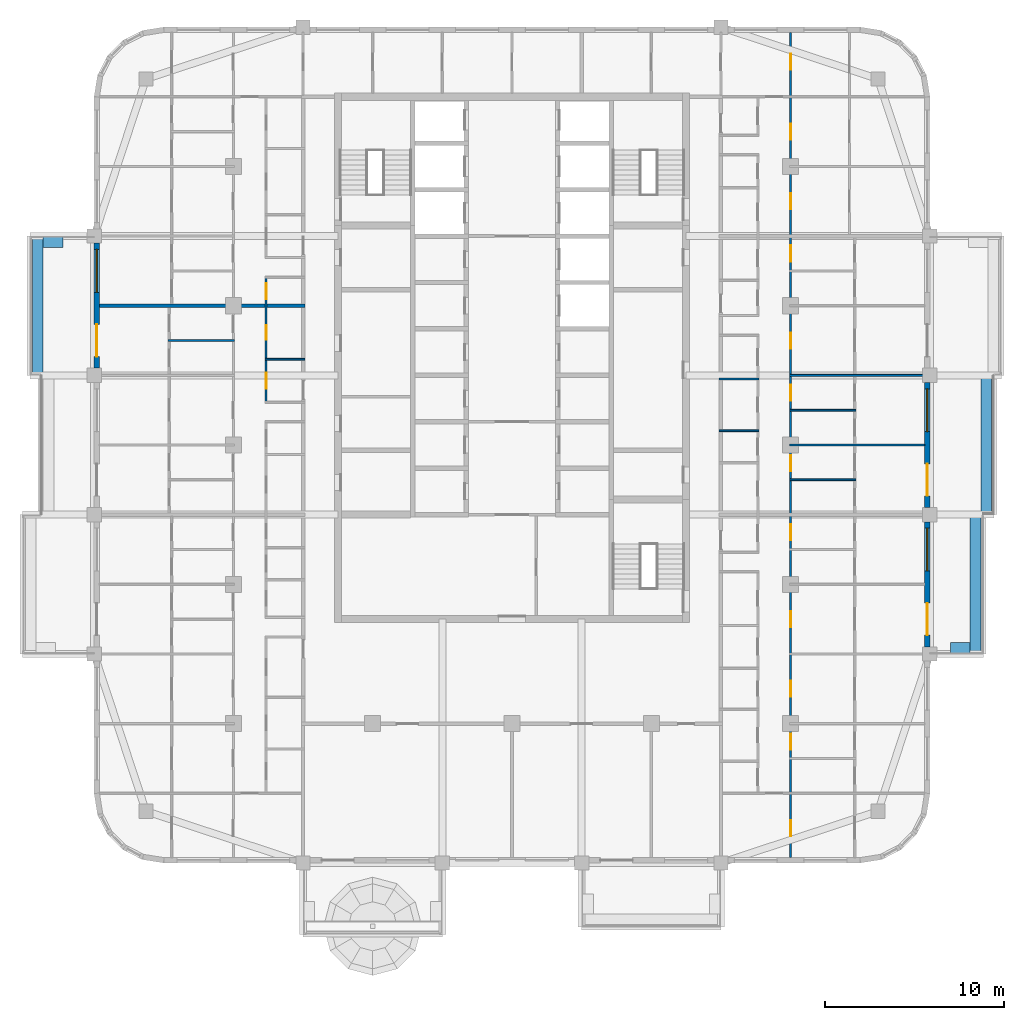
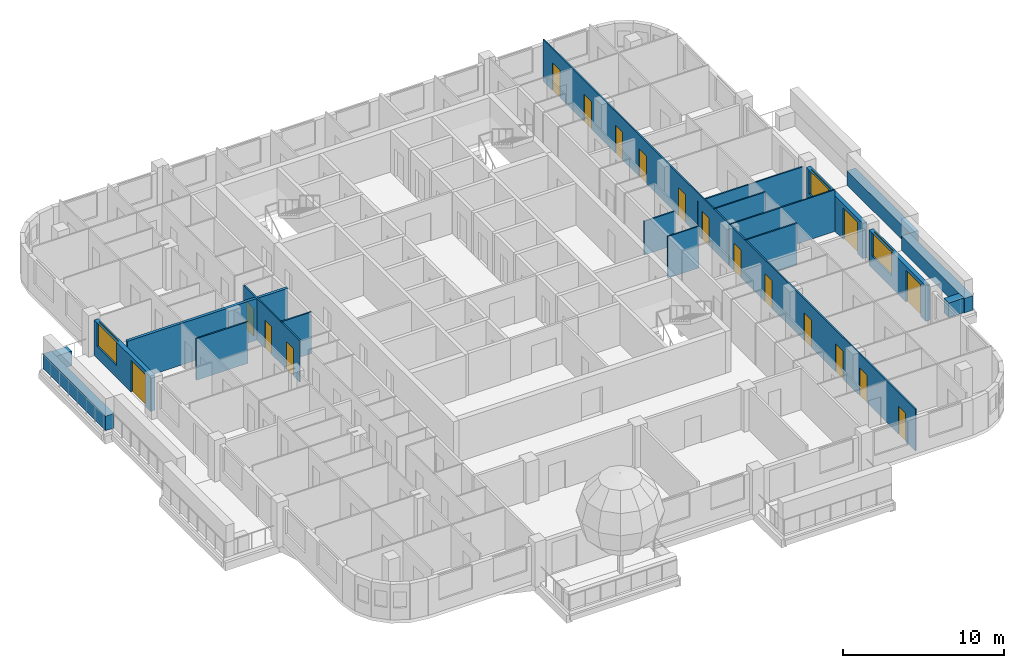
# One storey, part 8 of 17: 19 walls, 18 doors, 3 windows, 21 openings.
"""IFC4 building model written with IfcOpenShell, lengths in metres."""

from ifc_helpers import new_model, si_unit, direction, frame, frame_2d, origin, place, context, subcontext, project, spatial, rectangle, extrude, material, layer, layer_set, type_object, element, fill, save


model = new_model("IFC4")

# Units and contexts
model_context = context("Model", 3, precision=1e-05, world=origin(), true_north=direction((0.0, 1.0)))
body_context = subcontext(model_context, "Body", "Model", "MODEL_VIEW")
ifc_project = project(units=[si_unit("LENGTHUNIT", "METRE"), si_unit("AREAUNIT", "SQUARE_METRE"), si_unit("VOLUMEUNIT", "CUBIC_METRE"), si_unit("PLANEANGLEUNIT", "RADIAN"), si_unit("MASSUNIT", "GRAM", prefix="KILO")], contexts=[model_context])

# Site, building, storey
site_placement = place(None, origin())
site = spatial("IfcSite", under=ifc_project, at=site_placement, CompositionType="ELEMENT")
building_placement = place(site_placement, origin())
building = spatial("IfcBuilding", under=site, at=building_placement, Name="Ludao Terraces", CompositionType="ELEMENT")
storey_placement = place(building_placement, frame((0.0, 0.0, 231.300048828125)))
storey = spatial("IfcBuildingStorey", under=building, at=storey_placement, Name="L63", CompositionType="ELEMENT", Elevation=231.300048828125)

# Walls
ifc_material_1 = material(Name="Concrete C40", Category="concrete")
ifc_layer_1 = layer(ifc_material_1, 0.60009765625)
ifc_layer_set_1 = layer_set([ifc_layer_1], Name="ENV Planter trough 600")
wall_type_1 = type_object("IfcWallType", Name="ENV Planter trough 600", PredefinedType="USERDEFINED", material=ifc_layer_set_1)
wall_1_placement = place(storey_placement, frame((110.949951171875, 53.300048828125, 0.0), z_axis=(0.0, 0.0, 1.0), x_axis=(0.0, 1.0, 0.0)))
element("IfcWall", 1, at=wall_1_placement, inside=storey, type_object=wall_type_1, Name="PL-L63-E1", ObjectType="PLANTER", PredefinedType="USERDEFINED", context=body_context, shape_type="SweptSolid", body=[
    extrude(rectangle(XDim=7.800048828125, YDim=0.60009765625, at=frame_2d((3.89990234375, 0.0))), origin(), (0.0, 0.0, 1.0), 1.099853515625),
])
wall_2_placement = place(storey_placement, frame((110.64990234375, 53.64990234375, 0.0), z_axis=(0.0, 0.0, 1.0), x_axis=(-1.0, 0.0, 0.0)))
element("IfcWall", 2, at=wall_2_placement, inside=storey, type_object=wall_type_1, Name="PL-L63-E1-SA", ObjectType="PLANTER", PredefinedType="USERDEFINED", context=body_context, shape_type="SweptSolid", body=[
    extrude(rectangle(XDim=1.099853515625, YDim=0.60009765625, at=frame_2d((0.5498046875, 0.0))), origin(), (0.0, 0.0, 1.0), 1.099853515625),
])
wall_3_placement = place(storey_placement, frame((111.550048828125, 61.10009765625, 0.0), z_axis=(0.0, 0.0, 1.0), x_axis=(0.0, 1.0, 0.0)))
element("IfcWall", 3, at=wall_3_placement, inside=storey, type_object=wall_type_1, Name="PL-L63-E2", ObjectType="PLANTER", PredefinedType="USERDEFINED", context=body_context, shape_type="SweptSolid", body=[
    extrude(rectangle(XDim=7.7998046875, YDim=0.60009765625, at=frame_2d((3.89990234375, 0.0))), origin(), (0.0, 0.0, 1.0), 1.099853515625),
])
wall_4_placement = place(storey_placement, frame((58.449951171875, 68.89990234375, 0.0), z_axis=(0.0, 0.0, 1.0), x_axis=(0.0, 1.0, 0.0)))
element("IfcWall", 4, at=wall_4_placement, inside=storey, type_object=wall_type_1, Name="PL-L63-W3", ObjectType="PLANTER", PredefinedType="USERDEFINED", context=body_context, shape_type="SweptSolid", body=[
    extrude(rectangle(XDim=7.800048828125, YDim=0.60009765625, at=frame_2d((3.89990234375, 0.0))), origin(), (0.0, 0.0, 1.0), 1.099853515625),
])
wall_5_placement = place(storey_placement, frame((58.75, 76.35009765625, 0.0), z_axis=(0.0, 0.0, 1.0), x_axis=(1.0, 0.0, 0.0)))
element("IfcWall", 5, at=wall_5_placement, inside=storey, type_object=wall_type_1, Name="PL-L63-W3-SB", ObjectType="PLANTER", PredefinedType="USERDEFINED", context=body_context, shape_type="SweptSolid", body=[
    extrude(rectangle(XDim=1.10009765625, YDim=0.60009765625, at=frame_2d((0.550048828125, 0.0))), origin(), (0.0, 0.0, 1.0), 1.099853515625),
])

# Wall, openings, door, window
ifc_material_2 = material(Name="Granite cladding", Category="masonry")
ifc_layer_2 = layer(ifc_material_2, 0.0400390625, Category="stone")
ifc_material_3 = material(Name="Mineral wool")
ifc_layer_3 = layer(ifc_material_3, 0.06005859375)
ifc_layer_4 = layer(ifc_material_1, 0.199951171875, Category="concrete")
ifc_layer_set_2 = layer_set([ifc_layer_2, ifc_layer_3, ifc_layer_4], Name="ENV Stone-clad wall 300")
wall_type_2 = type_object("IfcWallType", Name="ENV Stone-clad wall 300", PredefinedType="SOLIDWALL", material=ifc_layer_set_2)
wall_6_placement = place(storey_placement, frame((108.25, 53.699951171875, 0.0), z_axis=(0.0, 0.0, 1.0), x_axis=(0.0, 1.0, 0.0)))
wall_6 = element("IfcWall", 6, at=wall_6_placement, inside=storey, type_object=wall_type_2, Name="EW-L63-E2", PredefinedType="SOLIDWALL", context=body_context, shape_type="SweptSolid", body=[
    extrude(rectangle(XDim=7.0, YDim=0.300048828125, at=frame_2d((3.5, 0.0))), origin(), (0.0, 0.0, 1.0), 2.699951171875),
])
opening_1_placement = place(wall_6_placement, frame((0.64990234375, 0.0, 0.0)))
opening_1 = element("IfcOpeningElement", 7, at=opening_1_placement, cuts=wall_6, Name="Opening BD", PredefinedType="OPENING", context=body_context, shape_type="SweptSolid", body=[
    extrude(rectangle(XDim=1.800048828125, YDim=2.39990234375, at=frame_2d((0.89990234375, 1.199951171875))), frame((0.0, 0.16015625, 0.0), z_axis=(0.0, -1.0, 0.0), x_axis=(1.0, 0.0, 0.0)), (0.0, 0.0, 1.0), 0.320068359375),
])
opening_2_placement = place(wall_6_placement, frame((4.25, 0.0, 0.89990234375)))
opening_2 = element("IfcOpeningElement", 8, at=opening_2_placement, cuts=wall_6, Name="Opening W1", PredefinedType="OPENING", context=body_context, shape_type="SweptSolid", body=[
    extrude(rectangle(XDim=2.39990234375, YDim=1.800048828125, at=frame_2d((1.199951171875, 0.89990234375))), frame((0.0, 0.16015625, 0.0), z_axis=(0.0, -1.0, 0.0), x_axis=(1.0, 0.0, 0.0)), (0.0, 0.0, 1.0), 0.320068359375),
])
ifc_material_4 = material(Name="Aluminium glazed door", Category="aluminium")
ifc_layer_5 = layer(ifc_material_4, 0.06005859375)
ifc_layer_set_3 = layer_set([ifc_layer_5], Name="ENV Balcony door BD 1800x2400")
door_type_1 = type_object("IfcDoorType", Name="ENV Balcony door BD 1800x2400", OperationType="DOUBLE_DOOR_SINGLE_SWING", PredefinedType="DOOR", material=ifc_layer_set_3)
door_1_placement = place(opening_1_placement, origin())
door_1 = element("IfcDoor", 9, at=door_1_placement, inside=storey, type_object=door_type_1, Name="BD-L63-E2-1", OperationType="DOUBLE_DOOR_SINGLE_SWING", OverallHeight=2.39990234375, OverallWidth=1.800048828125, PredefinedType="DOOR", context=body_context, shape_type="SweptSolid", body=[
    extrude(rectangle(XDim=1.800048828125, YDim=2.39990234375, at=frame_2d((0.89990234375, 1.199951171875))), frame((0.0, 0.02490234375, 0.0), z_axis=(0.0, -1.0, 0.0), x_axis=(1.0, 0.0, 0.0)), (0.0, 0.0, 1.0), 0.050048828125),
])
fill(opening_1, door_1)
ifc_material_5 = material(Name="Clear glass in aluminium frame", Category="aluminium")
ifc_layer_6 = layer(ifc_material_5, 0.06005859375)
ifc_layer_set_4 = layer_set([ifc_layer_6], Name="ENV Window W1 2400x1800")
window_type = type_object("IfcWindowType", Name="ENV Window W1 2400x1800", PartitioningType="DOUBLE_PANEL_VERTICAL", PredefinedType="WINDOW", material=ifc_layer_set_4)
window_1_placement = place(opening_2_placement, origin())
window_1 = element("IfcWindow", 10, at=window_1_placement, inside=storey, type_object=window_type, Name="W-L63-E2-2", OverallHeight=1.800048828125, OverallWidth=2.39990234375, PartitioningType="DOUBLE_PANEL_VERTICAL", PredefinedType="WINDOW", context=body_context, shape_type="SweptSolid", body=[
    extrude(rectangle(XDim=2.39990234375, YDim=1.800048828125, at=frame_2d((1.199951171875, 0.89990234375))), frame((0.0, 0.030029296875, 0.0), z_axis=(0.0, -1.0, 0.0), x_axis=(1.0, 0.0, 0.0)), (0.0, 0.0, 1.0), 0.06005859375),
])
fill(opening_2, window_1)

wall_7_placement = place(storey_placement, frame((108.25, 61.5, 0.0), z_axis=(0.0, 0.0, 1.0), x_axis=(0.0, 1.0, 0.0)))
wall_7 = element("IfcWall", 11, at=wall_7_placement, inside=storey, type_object=wall_type_2, Name="EW-L63-E3", PredefinedType="SOLIDWALL", context=body_context, shape_type="SweptSolid", body=[
    extrude(rectangle(XDim=7.0, YDim=0.300048828125, at=frame_2d((3.5, 0.0))), origin(), (0.0, 0.0, 1.0), 2.699951171875),
])
opening_3_placement = place(wall_7_placement, frame((0.64990234375, 0.0, 0.0)))
opening_3 = element("IfcOpeningElement", 12, at=opening_3_placement, cuts=wall_7, Name="Opening BD", PredefinedType="OPENING", context=body_context, shape_type="SweptSolid", body=[
    extrude(rectangle(XDim=1.800048828125, YDim=2.39990234375, at=frame_2d((0.89990234375, 1.199951171875))), frame((0.0, 0.16015625, 0.0), z_axis=(0.0, -1.0, 0.0), x_axis=(1.0, 0.0, 0.0)), (0.0, 0.0, 1.0), 0.320068359375),
])
opening_4_placement = place(wall_7_placement, frame((4.25, 0.0, 0.89990234375)))
opening_4 = element("IfcOpeningElement", 13, at=opening_4_placement, cuts=wall_7, Name="Opening W1", PredefinedType="OPENING", context=body_context, shape_type="SweptSolid", body=[
    extrude(rectangle(XDim=2.39990234375, YDim=1.800048828125, at=frame_2d((1.199951171875, 0.89990234375))), frame((0.0, 0.16015625, 0.0), z_axis=(0.0, -1.0, 0.0), x_axis=(1.0, 0.0, 0.0)), (0.0, 0.0, 1.0), 0.320068359375),
])
door_2_placement = place(opening_3_placement, origin())
door_2 = element("IfcDoor", 14, at=door_2_placement, inside=storey, type_object=door_type_1, Name="BD-L63-E3-1", OperationType="DOUBLE_DOOR_SINGLE_SWING", OverallHeight=2.39990234375, OverallWidth=1.800048828125, PredefinedType="DOOR", context=body_context, shape_type="SweptSolid", body=[
    extrude(rectangle(XDim=1.800048828125, YDim=2.39990234375, at=frame_2d((0.89990234375, 1.199951171875))), frame((0.0, 0.02490234375, 0.0), z_axis=(0.0, -1.0, 0.0), x_axis=(1.0, 0.0, 0.0)), (0.0, 0.0, 1.0), 0.050048828125),
])
fill(opening_3, door_2)
window_2_placement = place(opening_4_placement, origin())
window_2 = element("IfcWindow", 15, at=window_2_placement, inside=storey, type_object=window_type, Name="W-L63-E3-2", OverallHeight=1.800048828125, OverallWidth=2.39990234375, PartitioningType="DOUBLE_PANEL_VERTICAL", PredefinedType="WINDOW", context=body_context, shape_type="SweptSolid", body=[
    extrude(rectangle(XDim=2.39990234375, YDim=1.800048828125, at=frame_2d((1.199951171875, 0.89990234375))), frame((0.0, 0.030029296875, 0.0), z_axis=(0.0, -1.0, 0.0), x_axis=(1.0, 0.0, 0.0)), (0.0, 0.0, 1.0), 0.06005859375),
])
fill(opening_4, window_2)

wall_8_placement = place(storey_placement, frame((61.75, 69.300048828125, 0.0), z_axis=(0.0, 0.0, 1.0), x_axis=(0.0, 1.0, 0.0)))
wall_8 = element("IfcWall", 16, at=wall_8_placement, inside=storey, type_object=wall_type_2, Name="EW-L63-W4", PredefinedType="SOLIDWALL", context=body_context, shape_type="SweptSolid", body=[
    extrude(rectangle(XDim=7.0, YDim=0.300048828125, at=frame_2d((3.5, 0.0))), origin(), (0.0, 0.0, 1.0), 2.699951171875),
])
opening_5_placement = place(wall_8_placement, frame((0.64990234375, 0.0, 0.0)))
opening_5 = element("IfcOpeningElement", 17, at=opening_5_placement, cuts=wall_8, Name="Opening BD", PredefinedType="OPENING", context=body_context, shape_type="SweptSolid", body=[
    extrude(rectangle(XDim=1.800048828125, YDim=2.39990234375, at=frame_2d((0.89990234375, 1.199951171875))), frame((0.0, 0.16015625, 0.0), z_axis=(0.0, -1.0, 0.0), x_axis=(1.0, 0.0, 0.0)), (0.0, 0.0, 1.0), 0.320068359375),
])
opening_6_placement = place(wall_8_placement, frame((4.25, 0.0, 0.89990234375)))
opening_6 = element("IfcOpeningElement", 18, at=opening_6_placement, cuts=wall_8, Name="Opening W1", PredefinedType="OPENING", context=body_context, shape_type="SweptSolid", body=[
    extrude(rectangle(XDim=2.39990234375, YDim=1.800048828125, at=frame_2d((1.199951171875, 0.89990234375))), frame((0.0, 0.16015625, 0.0), z_axis=(0.0, -1.0, 0.0), x_axis=(1.0, 0.0, 0.0)), (0.0, 0.0, 1.0), 0.320068359375),
])
door_3_placement = place(opening_5_placement, origin())
door_3 = element("IfcDoor", 19, at=door_3_placement, inside=storey, type_object=door_type_1, Name="BD-L63-W4-1", OperationType="DOUBLE_DOOR_SINGLE_SWING", OverallHeight=2.39990234375, OverallWidth=1.800048828125, PredefinedType="DOOR", context=body_context, shape_type="SweptSolid", body=[
    extrude(rectangle(XDim=1.800048828125, YDim=2.39990234375, at=frame_2d((0.89990234375, 1.199951171875))), frame((0.0, 0.02490234375, 0.0), z_axis=(0.0, -1.0, 0.0), x_axis=(1.0, 0.0, 0.0)), (0.0, 0.0, 1.0), 0.050048828125),
])
fill(opening_5, door_3)
window_3_placement = place(opening_6_placement, origin())
window_3 = element("IfcWindow", 20, at=window_3_placement, inside=storey, type_object=window_type, Name="W-L63-W4-2", OverallHeight=1.800048828125, OverallWidth=2.39990234375, PartitioningType="DOUBLE_PANEL_VERTICAL", PredefinedType="WINDOW", context=body_context, shape_type="SweptSolid", body=[
    extrude(rectangle(XDim=2.39990234375, YDim=1.800048828125, at=frame_2d((1.199951171875, 0.89990234375))), frame((0.0, 0.030029296875, 0.0), z_axis=(0.0, -1.0, 0.0), x_axis=(1.0, 0.0, 0.0)), (0.0, 0.0, 1.0), 0.06005859375),
])
fill(opening_6, window_3)

# Walls
ifc_material_6 = material(Name="Gypsum plasterboard", Category="gypsum")
ifc_layer_7 = layer(ifc_material_6, 0.012451171875, Category="gypsum")
ifc_layer_8 = layer(ifc_material_3, 0.06005859375, Name="insulation")
ifc_material_7 = material(Name="Steel Q235", Category="steel")
ifc_layer_9 = layer(ifc_material_7, 0.014892578125, Name="stud")
ifc_layer_10 = layer(ifc_material_6, 0.012451171875, Category="gypsum")
ifc_layer_set_5 = layer_set([ifc_layer_7, ifc_layer_8, ifc_layer_9, ifc_layer_10], Name="INT Partition 100")
wall_type_3 = type_object("IfcWallType", Name="INT Partition 100", PredefinedType="PARTITIONING", material=ifc_layer_set_5)
wall_9_placement = place(storey_placement, frame((100.550048828125, 63.050048828125, 0.0), z_axis=(0.0, 0.0, 1.0), x_axis=(1.0, 0.0, 0.0)))
element("IfcWall", 21, at=wall_9_placement, inside=storey, type_object=wall_type_3, Name="PW-L63-PW029", PredefinedType="PARTITIONING", context=body_context, shape_type="SweptSolid", body=[
    extrude(rectangle(XDim=3.699951171875, YDim=0.10009765625, at=frame_2d((1.85009765625, 0.0))), origin(), (0.0, 0.0, 1.0), 3.14990234375),
])
wall_10_placement = place(storey_placement, frame((100.550048828125, 65.0, 0.0), z_axis=(0.0, 0.0, 1.0), x_axis=(1.0, 0.0, 0.0)))
element("IfcWall", 22, at=wall_10_placement, inside=storey, type_object=wall_type_3, Name="PW-L63-PW033", PredefinedType="PARTITIONING", context=body_context, shape_type="SweptSolid", body=[
    extrude(rectangle(XDim=7.550048828125, YDim=0.10009765625, at=frame_2d((3.77490234375, 0.0))), origin(), (0.0, 0.0, 1.0), 3.14990234375),
])
wall_11_placement = place(storey_placement, frame((96.60009765625, 65.800048828125, 0.0), z_axis=(0.0, 0.0, 1.0), x_axis=(1.0, 0.0, 0.0)))
element("IfcWall", 23, at=wall_11_placement, inside=storey, type_object=wall_type_3, Name="PW-L63-PW034", PredefinedType="PARTITIONING", context=body_context, shape_type="SweptSolid", body=[
    extrude(rectangle(XDim=2.219970703125, YDim=0.10009765625, at=frame_2d((1.10986328125, 0.0))), origin(), (0.0, 0.0, 1.0), 3.14990234375),
])
wall_12_placement = place(storey_placement, frame((100.550048828125, 66.949951171875, 0.0), z_axis=(0.0, 0.0, 1.0), x_axis=(1.0, 0.0, 0.0)))
element("IfcWall", 24, at=wall_12_placement, inside=storey, type_object=wall_type_3, Name="PW-L63-PW037", PredefinedType="PARTITIONING", context=body_context, shape_type="SweptSolid", body=[
    extrude(rectangle(XDim=3.699951171875, YDim=0.10009765625, at=frame_2d((1.85009765625, 0.0))), origin(), (0.0, 0.0, 1.0), 3.14990234375),
])
wall_13_placement = place(storey_placement, frame((96.60009765625, 68.699951171875, 0.0), z_axis=(0.0, 0.0, 1.0), x_axis=(1.0, 0.0, 0.0)))
element("IfcWall", 25, at=wall_13_placement, inside=storey, type_object=wall_type_3, Name="PW-L63-PW040", PredefinedType="PARTITIONING", context=body_context, shape_type="SweptSolid", body=[
    extrude(rectangle(XDim=2.219970703125, YDim=0.10009765625, at=frame_2d((1.10986328125, 0.0))), origin(), (0.0, 0.0, 1.0), 2.5498046875),
])
wall_14_placement = place(storey_placement, frame((100.550048828125, 68.89990234375, 0.0), z_axis=(0.0, 0.0, 1.0), x_axis=(1.0, 0.0, 0.0)))
element("IfcWall", 26, at=wall_14_placement, inside=storey, type_object=wall_type_3, Name="PW-L63-PW042", PredefinedType="PARTITIONING", context=body_context, shape_type="SweptSolid", body=[
    extrude(rectangle(XDim=7.550048828125, YDim=0.10009765625, at=frame_2d((3.77490234375, 0.0))), origin(), (0.0, 0.0, 1.0), 2.5498046875),
])
wall_15_placement = place(storey_placement, frame((71.18017578125, 69.800048828125, 0.0), z_axis=(0.0, 0.0, 1.0), x_axis=(1.0, 0.0, 0.0)))
element("IfcWall", 27, at=wall_15_placement, inside=storey, type_object=wall_type_3, Name="PW-L63-PW043", PredefinedType="PARTITIONING", context=body_context, shape_type="SweptSolid", body=[
    extrude(rectangle(XDim=2.219970703125, YDim=0.10009765625, at=frame_2d((1.10986328125, 0.0))), origin(), (0.0, 0.0, 1.0), 3.14990234375),
])
wall_16_placement = place(storey_placement, frame((65.75, 70.85009765625, 0.0), z_axis=(0.0, 0.0, 1.0), x_axis=(1.0, 0.0, 0.0)))
element("IfcWall", 28, at=wall_16_placement, inside=storey, type_object=wall_type_3, Name="PW-L63-PW044", PredefinedType="PARTITIONING", context=body_context, shape_type="SweptSolid", body=[
    extrude(rectangle(XDim=3.7001953125, YDim=0.10009765625, at=frame_2d((1.85009765625, 0.0))), origin(), (0.0, 0.0, 1.0), 3.14990234375),
])

# Wall, openings, doors
wall_17_placement = place(storey_placement, frame((71.22998046875, 67.4501953125, 0.0), z_axis=(0.0, 0.0, 1.0), x_axis=(0.0, 1.0, 0.0)))
wall_17 = element("IfcWall", 29, at=wall_17_placement, inside=storey, type_object=wall_type_3, Name="PW-L63-PW075", PredefinedType="PARTITIONING", context=body_context, shape_type="SweptSolid", body=[
    extrude(rectangle(XDim=6.89990234375, YDim=0.10009765625, at=frame_2d((3.449951171875, 0.0))), origin(), (0.0, 0.0, 1.0), 3.14990234375),
])
opening_7_placement = place(wall_17_placement, frame((0.699951171875, 0.0, 0.0)))
opening_7 = element("IfcOpeningElement", 30, at=opening_7_placement, cuts=wall_17, Name="Opening R22-075", PredefinedType="OPENING", context=body_context, shape_type="SweptSolid", body=[
    extrude(rectangle(XDim=0.89990234375, YDim=2.10009765625, at=frame_2d((0.449951171875, 1.050048828125))), frame((0.0, 0.06005859375, 0.0), z_axis=(0.0, -1.0, 0.0), x_axis=(1.0, 0.0, 0.0)), (0.0, 0.0, 1.0), 0.1201171875),
])
opening_8_placement = place(wall_17_placement, frame((3.449951171875, 0.0, 0.0)))
opening_8 = element("IfcOpeningElement", 31, at=opening_8_placement, cuts=wall_17, Name="Opening R22-084", PredefinedType="OPENING", context=body_context, shape_type="SweptSolid", body=[
    extrude(rectangle(XDim=0.800048828125, YDim=2.10009765625, at=frame_2d((0.39990234375, 1.050048828125))), frame((0.0, 0.06005859375, 0.0), z_axis=(0.0, -1.0, 0.0), x_axis=(1.0, 0.0, 0.0)), (0.0, 0.0, 1.0), 0.1201171875),
])
opening_9_placement = place(wall_17_placement, frame((5.699951171875, 0.0, 0.0)))
opening_9 = element("IfcOpeningElement", 32, at=opening_9_placement, cuts=wall_17, Name="Opening R22-091", PredefinedType="OPENING", context=body_context, shape_type="SweptSolid", body=[
    extrude(rectangle(XDim=0.89990234375, YDim=2.10009765625, at=frame_2d((0.449951171875, 1.050048828125))), frame((0.0, 0.06005859375, 0.0), z_axis=(0.0, -1.0, 0.0), x_axis=(1.0, 0.0, 0.0)), (0.0, 0.0, 1.0), 0.1201171875),
])
ifc_material_8 = material(Name="Timber door leaf", Category="wood")
door_type_2 = type_object("IfcDoorType", Name="INT Bathroom door 900", OperationType="SINGLE_SWING_LEFT", PredefinedType="DOOR", material=ifc_material_8)
door_4_placement = place(opening_7_placement, origin())
door_4 = element("IfcDoor", 33, at=door_4_placement, inside=storey, type_object=door_type_2, Name="DOOR 075", OperationType="SINGLE_SWING_LEFT", OverallHeight=2.10009765625, OverallWidth=0.89990234375, PredefinedType="DOOR", context=body_context, shape_type="SweptSolid", body=[
    extrude(rectangle(XDim=0.89990234375, YDim=2.10009765625, at=frame_2d((0.449951171875, 1.050048828125))), frame((0.0, 0.02490234375, 0.0), z_axis=(0.0, -1.0, 0.0), x_axis=(1.0, 0.0, 0.0)), (0.0, 0.0, 1.0), 0.050048828125),
])
fill(opening_7, door_4)
door_5_placement = place(opening_9_placement, origin())
door_5 = element("IfcDoor", 34, at=door_5_placement, inside=storey, type_object=door_type_2, Name="DOOR 091", OperationType="SINGLE_SWING_RIGHT", OverallHeight=2.10009765625, OverallWidth=0.89990234375, PredefinedType="DOOR", context=body_context, shape_type="SweptSolid", body=[
    extrude(rectangle(XDim=0.89990234375, YDim=2.10009765625, at=frame_2d((0.449951171875, 1.050048828125))), frame((0.0, 0.02490234375, 0.0), z_axis=(0.0, -1.0, 0.0), x_axis=(1.0, 0.0, 0.0)), (0.0, 0.0, 1.0), 0.050048828125),
])
fill(opening_9, door_5)
door_type_3 = type_object("IfcDoorType", Name="INT Store door 800", OperationType="SINGLE_SWING_LEFT", PredefinedType="DOOR", material=ifc_material_8)
door_6_placement = place(opening_8_placement, origin())
door_6 = element("IfcDoor", 35, at=door_6_placement, inside=storey, type_object=door_type_3, Name="DOOR 084", OperationType="SINGLE_SWING_RIGHT", OverallHeight=2.10009765625, OverallWidth=0.800048828125, PredefinedType="DOOR", context=body_context, shape_type="SweptSolid", body=[
    extrude(rectangle(XDim=0.800048828125, YDim=2.10009765625, at=frame_2d((0.39990234375, 1.050048828125))), frame((0.0, 0.02490234375, 0.0), z_axis=(0.0, -1.0, 0.0), x_axis=(1.0, 0.0, 0.0)), (0.0, 0.0, 1.0), 0.050048828125),
])
fill(opening_8, door_6)

wall_18_placement = place(storey_placement, frame((100.60009765625, 41.900146484375, 0.0), z_axis=(0.0, 0.0, 1.0), x_axis=(0.0, 1.0, 0.0)))
wall_18 = element("IfcWall", 36, at=wall_18_placement, inside=storey, type_object=wall_type_3, Name="PW-L63-PW095", PredefinedType="PARTITIONING", context=body_context, shape_type="SweptSolid", body=[
    extrude(rectangle(XDim=46.199951171875, YDim=0.10009765625, at=frame_2d((23.10009765625, 0.0))), origin(), (0.0, 0.0, 1.0), 3.14990234375),
])
opening_10_placement = place(wall_18_placement, frame((1.199951171875, 0.0, 0.0)))
opening_10 = element("IfcOpeningElement", 37, at=opening_10_placement, cuts=wall_18, Name="Opening R22-003", PredefinedType="OPENING", context=body_context, shape_type="SweptSolid", body=[
    extrude(rectangle(XDim=0.89990234375, YDim=2.10009765625, at=frame_2d((0.449951171875, 1.050048828125))), frame((0.0, 0.06005859375, 0.0), z_axis=(0.0, -1.0, 0.0), x_axis=(1.0, 0.0, 0.0)), (0.0, 0.0, 1.0), 0.1201171875),
])
opening_11_placement = place(wall_18_placement, frame((6.02490234375, 0.0, 0.0)))
opening_11 = element("IfcOpeningElement", 38, at=opening_11_placement, cuts=wall_18, Name="Opening R22-012", PredefinedType="OPENING", context=body_context, shape_type="SweptSolid", body=[
    extrude(rectangle(XDim=0.89990234375, YDim=2.10009765625, at=frame_2d((0.449951171875, 1.050048828125))), frame((0.0, 0.06005859375, 0.0), z_axis=(0.0, -1.0, 0.0), x_axis=(1.0, 0.0, 0.0)), (0.0, 0.0, 1.0), 0.1201171875),
])
opening_12_placement = place(wall_18_placement, frame((9.0, 0.0, 0.0)))
opening_12 = element("IfcOpeningElement", 39, at=opening_12_placement, cuts=wall_18, Name="Opening R22-022", PredefinedType="OPENING", context=body_context, shape_type="SweptSolid", body=[
    extrude(rectangle(XDim=0.89990234375, YDim=2.10009765625, at=frame_2d((0.449951171875, 1.050048828125))), frame((0.0, 0.06005859375, 0.0), z_axis=(0.0, -1.0, 0.0), x_axis=(1.0, 0.0, 0.0)), (0.0, 0.0, 1.0), 0.1201171875),
])
opening_13_placement = place(wall_18_placement, frame((12.89990234375, 0.0, 0.0)))
opening_13 = element("IfcOpeningElement", 40, at=opening_13_placement, cuts=wall_18, Name="Opening R22-029", PredefinedType="OPENING", context=body_context, shape_type="SweptSolid", body=[
    extrude(rectangle(XDim=0.89990234375, YDim=2.10009765625, at=frame_2d((0.449951171875, 1.050048828125))), frame((0.0, 0.06005859375, 0.0), z_axis=(0.0, -1.0, 0.0), x_axis=(1.0, 0.0, 0.0)), (0.0, 0.0, 1.0), 0.1201171875),
])
opening_14_placement = place(wall_18_placement, frame((17.77490234375, 0.0, 0.0)))
opening_14 = element("IfcOpeningElement", 41, at=opening_14_placement, cuts=wall_18, Name="Opening R22-044", PredefinedType="OPENING", context=body_context, shape_type="SweptSolid", body=[
    extrude(rectangle(XDim=0.89990234375, YDim=2.10009765625, at=frame_2d((0.449951171875, 1.050048828125))), frame((0.0, 0.06005859375, 0.0), z_axis=(0.0, -1.0, 0.0), x_axis=(1.0, 0.0, 0.0)), (0.0, 0.0, 1.0), 0.1201171875),
])
opening_15_placement = place(wall_18_placement, frame((21.625, 0.0, 0.0)))
opening_15 = element("IfcOpeningElement", 42, at=opening_15_placement, cuts=wall_18, Name="Opening R22-057", PredefinedType="OPENING", context=body_context, shape_type="SweptSolid", body=[
    extrude(rectangle(XDim=0.89990234375, YDim=2.10009765625, at=frame_2d((0.449951171875, 1.050048828125))), frame((0.0, 0.06005859375, 0.0), z_axis=(0.0, -1.0, 0.0), x_axis=(1.0, 0.0, 0.0)), (0.0, 0.0, 1.0), 0.1201171875),
])
opening_16_placement = place(wall_18_placement, frame((25.574951171875, 0.0, 0.0)))
opening_16 = element("IfcOpeningElement", 43, at=opening_16_placement, cuts=wall_18, Name="Opening R22-072", PredefinedType="OPENING", context=body_context, shape_type="SweptSolid", body=[
    extrude(rectangle(XDim=0.89990234375, YDim=2.10009765625, at=frame_2d((0.449951171875, 1.050048828125))), frame((0.0, 0.06005859375, 0.0), z_axis=(0.0, -1.0, 0.0), x_axis=(1.0, 0.0, 0.0)), (0.0, 0.0, 1.0), 0.1201171875),
])
opening_17_placement = place(wall_18_placement, frame((28.5, 0.0, 0.0)))
opening_17 = element("IfcOpeningElement", 44, at=opening_17_placement, cuts=wall_18, Name="Opening R22-082", PredefinedType="OPENING", context=body_context, shape_type="SweptSolid", body=[
    extrude(rectangle(XDim=0.89990234375, YDim=2.10009765625, at=frame_2d((0.449951171875, 1.050048828125))), frame((0.0, 0.06005859375, 0.0), z_axis=(0.0, -1.0, 0.0), x_axis=(1.0, 0.0, 0.0)), (0.0, 0.0, 1.0), 0.1201171875),
])
opening_18_placement = place(wall_18_placement, frame((33.375, 0.0, 0.0)))
opening_18 = element("IfcOpeningElement", 45, at=opening_18_placement, cuts=wall_18, Name="Opening R22-101", PredefinedType="OPENING", context=body_context, shape_type="SweptSolid", body=[
    extrude(rectangle(XDim=0.89990234375, YDim=2.10009765625, at=frame_2d((0.449951171875, 1.050048828125))), frame((0.0, 0.06005859375, 0.0), z_axis=(0.0, -1.0, 0.0), x_axis=(1.0, 0.0, 0.0)), (0.0, 0.0, 1.0), 0.1201171875),
])
opening_19_placement = place(wall_18_placement, frame((36.300048828125, 0.0, 0.0)))
opening_19 = element("IfcOpeningElement", 46, at=opening_19_placement, cuts=wall_18, Name="Opening R22-113", PredefinedType="OPENING", context=body_context, shape_type="SweptSolid", body=[
    extrude(rectangle(XDim=0.89990234375, YDim=2.10009765625, at=frame_2d((0.449951171875, 1.050048828125))), frame((0.0, 0.06005859375, 0.0), z_axis=(0.0, -1.0, 0.0), x_axis=(1.0, 0.0, 0.0)), (0.0, 0.0, 1.0), 0.1201171875),
])
opening_20_placement = place(wall_18_placement, frame((40.199951171875, 0.0, 0.0)))
opening_20 = element("IfcOpeningElement", 47, at=opening_20_placement, cuts=wall_18, Name="Opening R22-120", PredefinedType="OPENING", context=body_context, shape_type="SweptSolid", body=[
    extrude(rectangle(XDim=0.89990234375, YDim=2.10009765625, at=frame_2d((0.449951171875, 1.050048828125))), frame((0.0, 0.06005859375, 0.0), z_axis=(0.0, -1.0, 0.0), x_axis=(1.0, 0.0, 0.0)), (0.0, 0.0, 1.0), 0.1201171875),
])
opening_21_placement = place(wall_18_placement, frame((44.10009765625, 0.0, 0.0)))
opening_21 = element("IfcOpeningElement", 48, at=opening_21_placement, cuts=wall_18, Name="Opening R22-139", PredefinedType="OPENING", context=body_context, shape_type="SweptSolid", body=[
    extrude(rectangle(XDim=0.89990234375, YDim=2.10009765625, at=frame_2d((0.449951171875, 1.050048828125))), frame((0.0, 0.06005859375, 0.0), z_axis=(0.0, -1.0, 0.0), x_axis=(1.0, 0.0, 0.0)), (0.0, 0.0, 1.0), 0.1201171875),
])
door_type_4 = type_object("IfcDoorType", Name="INT Room door 900", OperationType="SINGLE_SWING_LEFT", PredefinedType="DOOR", material=ifc_material_8)
door_7_placement = place(opening_10_placement, origin())
door_7 = element("IfcDoor", 49, at=door_7_placement, inside=storey, type_object=door_type_4, Name="DOOR 003", OperationType="SINGLE_SWING_RIGHT", OverallHeight=2.10009765625, OverallWidth=0.89990234375, PredefinedType="DOOR", context=body_context, shape_type="SweptSolid", body=[
    extrude(rectangle(XDim=0.89990234375, YDim=2.10009765625, at=frame_2d((0.449951171875, 1.050048828125))), frame((0.0, 0.02490234375, 0.0), z_axis=(0.0, -1.0, 0.0), x_axis=(1.0, 0.0, 0.0)), (0.0, 0.0, 1.0), 0.050048828125),
])
fill(opening_10, door_7)
door_8_placement = place(opening_11_placement, origin())
door_8 = element("IfcDoor", 50, at=door_8_placement, inside=storey, type_object=door_type_4, Name="DOOR 012", OperationType="SINGLE_SWING_RIGHT", OverallHeight=2.10009765625, OverallWidth=0.89990234375, PredefinedType="DOOR", context=body_context, shape_type="SweptSolid", body=[
    extrude(rectangle(XDim=0.89990234375, YDim=2.10009765625, at=frame_2d((0.449951171875, 1.050048828125))), frame((0.0, 0.02490234375, 0.0), z_axis=(0.0, -1.0, 0.0), x_axis=(1.0, 0.0, 0.0)), (0.0, 0.0, 1.0), 0.050048828125),
])
fill(opening_11, door_8)
door_9_placement = place(opening_12_placement, origin())
door_9 = element("IfcDoor", 51, at=door_9_placement, inside=storey, type_object=door_type_4, Name="DOOR 022", OperationType="SINGLE_SWING_RIGHT", OverallHeight=2.10009765625, OverallWidth=0.89990234375, PredefinedType="DOOR", context=body_context, shape_type="SweptSolid", body=[
    extrude(rectangle(XDim=0.89990234375, YDim=2.10009765625, at=frame_2d((0.449951171875, 1.050048828125))), frame((0.0, 0.02490234375, 0.0), z_axis=(0.0, -1.0, 0.0), x_axis=(1.0, 0.0, 0.0)), (0.0, 0.0, 1.0), 0.050048828125),
])
fill(opening_12, door_9)
door_10_placement = place(opening_13_placement, origin())
door_10 = element("IfcDoor", 52, at=door_10_placement, inside=storey, type_object=door_type_4, Name="DOOR 029", OperationType="SINGLE_SWING_RIGHT", OverallHeight=2.10009765625, OverallWidth=0.89990234375, PredefinedType="DOOR", context=body_context, shape_type="SweptSolid", body=[
    extrude(rectangle(XDim=0.89990234375, YDim=2.10009765625, at=frame_2d((0.449951171875, 1.050048828125))), frame((0.0, 0.02490234375, 0.0), z_axis=(0.0, -1.0, 0.0), x_axis=(1.0, 0.0, 0.0)), (0.0, 0.0, 1.0), 0.050048828125),
])
fill(opening_13, door_10)
door_11_placement = place(opening_14_placement, origin())
door_11 = element("IfcDoor", 53, at=door_11_placement, inside=storey, type_object=door_type_4, Name="DOOR 044", OperationType="SINGLE_SWING_LEFT", OverallHeight=2.10009765625, OverallWidth=0.89990234375, PredefinedType="DOOR", context=body_context, shape_type="SweptSolid", body=[
    extrude(rectangle(XDim=0.89990234375, YDim=2.10009765625, at=frame_2d((0.449951171875, 1.050048828125))), frame((0.0, 0.02490234375, 0.0), z_axis=(0.0, -1.0, 0.0), x_axis=(1.0, 0.0, 0.0)), (0.0, 0.0, 1.0), 0.050048828125),
])
fill(opening_14, door_11)
door_12_placement = place(opening_15_placement, origin())
door_12 = element("IfcDoor", 54, at=door_12_placement, inside=storey, type_object=door_type_4, Name="DOOR 057", OperationType="SINGLE_SWING_RIGHT", OverallHeight=2.10009765625, OverallWidth=0.89990234375, PredefinedType="DOOR", context=body_context, shape_type="SweptSolid", body=[
    extrude(rectangle(XDim=0.89990234375, YDim=2.10009765625, at=frame_2d((0.449951171875, 1.050048828125))), frame((0.0, 0.02490234375, 0.0), z_axis=(0.0, -1.0, 0.0), x_axis=(1.0, 0.0, 0.0)), (0.0, 0.0, 1.0), 0.050048828125),
])
fill(opening_15, door_12)
door_13_placement = place(opening_16_placement, origin())
door_13 = element("IfcDoor", 55, at=door_13_placement, inside=storey, type_object=door_type_4, Name="DOOR 072", OperationType="SINGLE_SWING_RIGHT", OverallHeight=2.10009765625, OverallWidth=0.89990234375, PredefinedType="DOOR", context=body_context, shape_type="SweptSolid", body=[
    extrude(rectangle(XDim=0.89990234375, YDim=2.10009765625, at=frame_2d((0.449951171875, 1.050048828125))), frame((0.0, 0.02490234375, 0.0), z_axis=(0.0, -1.0, 0.0), x_axis=(1.0, 0.0, 0.0)), (0.0, 0.0, 1.0), 0.050048828125),
])
fill(opening_16, door_13)
door_14_placement = place(opening_17_placement, origin())
door_14 = element("IfcDoor", 56, at=door_14_placement, inside=storey, type_object=door_type_4, Name="DOOR 082", OperationType="SINGLE_SWING_LEFT", OverallHeight=2.10009765625, OverallWidth=0.89990234375, PredefinedType="DOOR", context=body_context, shape_type="SweptSolid", body=[
    extrude(rectangle(XDim=0.89990234375, YDim=2.10009765625, at=frame_2d((0.449951171875, 1.050048828125))), frame((0.0, 0.02490234375, 0.0), z_axis=(0.0, -1.0, 0.0), x_axis=(1.0, 0.0, 0.0)), (0.0, 0.0, 1.0), 0.050048828125),
])
fill(opening_17, door_14)
door_15_placement = place(opening_18_placement, origin())
door_15 = element("IfcDoor", 57, at=door_15_placement, inside=storey, type_object=door_type_4, Name="DOOR 101", OperationType="SINGLE_SWING_RIGHT", OverallHeight=2.10009765625, OverallWidth=0.89990234375, PredefinedType="DOOR", context=body_context, shape_type="SweptSolid", body=[
    extrude(rectangle(XDim=0.89990234375, YDim=2.10009765625, at=frame_2d((0.449951171875, 1.050048828125))), frame((0.0, 0.02490234375, 0.0), z_axis=(0.0, -1.0, 0.0), x_axis=(1.0, 0.0, 0.0)), (0.0, 0.0, 1.0), 0.050048828125),
])
fill(opening_18, door_15)
door_16_placement = place(opening_19_placement, origin())
door_16 = element("IfcDoor", 58, at=door_16_placement, inside=storey, type_object=door_type_4, Name="DOOR 113", OperationType="SINGLE_SWING_RIGHT", OverallHeight=2.10009765625, OverallWidth=0.89990234375, PredefinedType="DOOR", context=body_context, shape_type="SweptSolid", body=[
    extrude(rectangle(XDim=0.89990234375, YDim=2.10009765625, at=frame_2d((0.449951171875, 1.050048828125))), frame((0.0, 0.02490234375, 0.0), z_axis=(0.0, -1.0, 0.0), x_axis=(1.0, 0.0, 0.0)), (0.0, 0.0, 1.0), 0.050048828125),
])
fill(opening_19, door_16)
door_17_placement = place(opening_20_placement, origin())
door_17 = element("IfcDoor", 59, at=door_17_placement, inside=storey, type_object=door_type_4, Name="DOOR 120", OperationType="SINGLE_SWING_RIGHT", OverallHeight=2.10009765625, OverallWidth=0.89990234375, PredefinedType="DOOR", context=body_context, shape_type="SweptSolid", body=[
    extrude(rectangle(XDim=0.89990234375, YDim=2.10009765625, at=frame_2d((0.449951171875, 1.050048828125))), frame((0.0, 0.02490234375, 0.0), z_axis=(0.0, -1.0, 0.0), x_axis=(1.0, 0.0, 0.0)), (0.0, 0.0, 1.0), 0.050048828125),
])
fill(opening_20, door_17)
door_18_placement = place(opening_21_placement, origin())
door_18 = element("IfcDoor", 60, at=door_18_placement, inside=storey, type_object=door_type_4, Name="DOOR 139", OperationType="SINGLE_SWING_LEFT", OverallHeight=2.10009765625, OverallWidth=0.89990234375, PredefinedType="DOOR", context=body_context, shape_type="SweptSolid", body=[
    extrude(rectangle(XDim=0.89990234375, YDim=2.10009765625, at=frame_2d((0.449951171875, 1.050048828125))), frame((0.0, 0.02490234375, 0.0), z_axis=(0.0, -1.0, 0.0), x_axis=(1.0, 0.0, 0.0)), (0.0, 0.0, 1.0), 0.050048828125),
])
fill(opening_21, door_18)

# Wall
ifc_material_9 = material(Name="Autoclaved aerated concrete block B06 A3.5", Category="concrete")
ifc_layer_11 = layer(ifc_material_9, 0.199951171875)
ifc_layer_set_6 = layer_set([ifc_layer_11], Name="INT Party wall 200")
wall_type_4 = type_object("IfcWallType", Name="INT Party wall 200", PredefinedType="PARTITIONING", material=ifc_layer_set_6)
wall_19_placement = place(storey_placement, frame((61.900146484375, 72.800048828125, 0.0), z_axis=(0.0, 0.0, 1.0), x_axis=(1.0, 0.0, 0.0)))
element("IfcWall", 61, at=wall_19_placement, inside=storey, type_object=wall_type_4, Name="PW-L63-PW047", PredefinedType="PARTITIONING", context=body_context, shape_type="SweptSolid", body=[
    extrude(rectangle(XDim=11.5, YDim=0.199951171875, at=frame_2d((5.75, 0.0))), origin(), (0.0, 0.0, 1.0), 3.14990234375),
])

save(model, "model.ifc")
